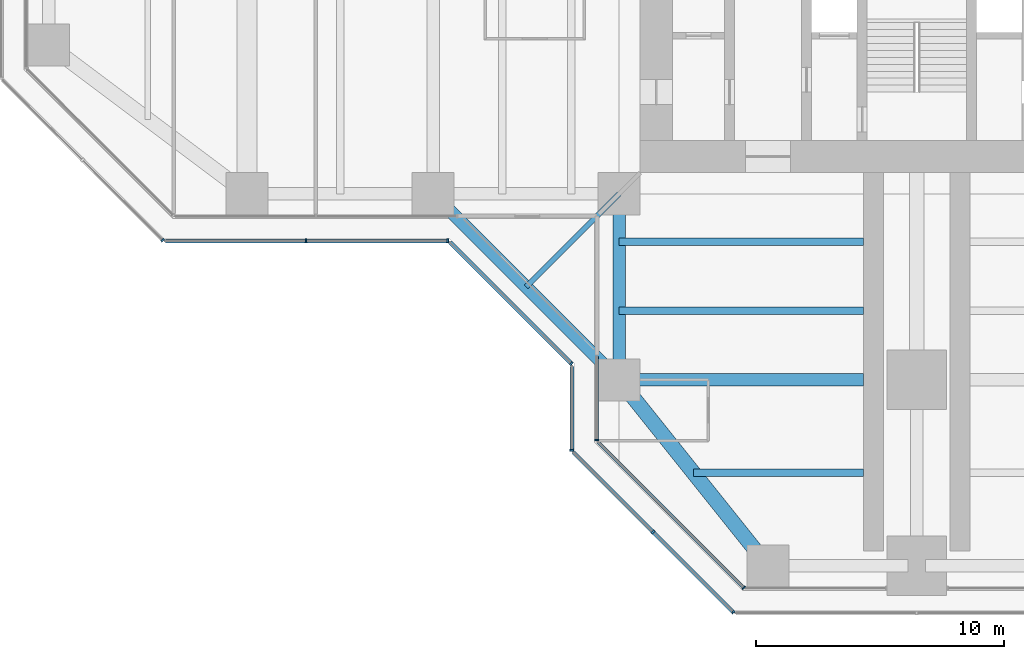
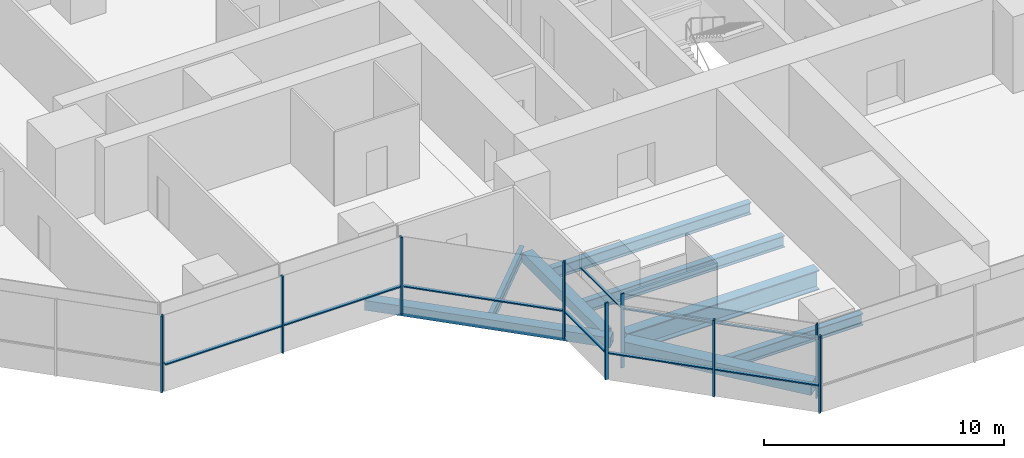
# One storey, part 2 of 20: 17 members, 8 beams, 7 elements without a shape of their own.
"""IFC4 building model written with IfcOpenShell, lengths in metres."""

from ifc_helpers import new_model, si_unit, direction, frame, origin, origin_2d, place, context, subcontext, project, spatial, rectangle, hollow_rectangle, i_section, extrude, material, material_profile, profile_set, type_object, element, aggregate, save


model = new_model("IFC4")

# Units and contexts
model_context = context("Model", 3, precision=1e-05, world=origin(), true_north=direction((0.0, 1.0)))
body_context = subcontext(model_context, "Body", "Model", "MODEL_VIEW")
ifc_project = project(units=[si_unit("LENGTHUNIT", "METRE"), si_unit("AREAUNIT", "SQUARE_METRE"), si_unit("VOLUMEUNIT", "CUBIC_METRE"), si_unit("PLANEANGLEUNIT", "RADIAN"), si_unit("MASSUNIT", "GRAM", prefix="KILO")], contexts=[model_context])

# Site, building, storey
site_placement = place(None, origin())
site = spatial("IfcSite", under=ifc_project, at=site_placement, CompositionType="ELEMENT")
building_placement = place(site_placement, origin())
building = spatial("IfcBuilding", under=site, at=building_placement, Name="Mizan Broadcast Tower", CompositionType="ELEMENT")
storey_placement = place(building_placement, frame((0.0, 0.0, 151.5)))
storey = spatial("IfcBuildingStorey", under=building, at=storey_placement, Name="L34", CompositionType="ELEMENT", Elevation=151.5)

# Beams
ifc_material_1 = material(Name="Steel S355", Category="steel")
ifc_material_profile_1 = material_profile(ifc_material_1, hollow_rectangle(XDim=0.5, YDim=0.5, WallThickness=0.030029296875, at=origin_2d()), Name="BOX 500x500x30")
ifc_profile_set_1 = profile_set([ifc_material_profile_1], Name="Steel S355")
beam_type_1 = type_object("IfcBeamType", Name="EDGE BEAM BOX 500x500x30", PredefinedType="SPANDREL", material=ifc_profile_set_1)
beam_1_placement = place(storey_placement, frame((-12.0, -12.449951171875, -0.3798828125), z_axis=(0.0, -1.0, 0.0), x_axis=(1.0, 0.0, 0.0)))
element("IfcBeam", 1, at=beam_1_placement, inside=storey, type_object=beam_type_1, Name="Edge beam BOX 500x500x30 L34 south arm", PredefinedType="SPANDREL", context=body_context, shape_type="SweptSolid", body=[
    extrude(hollow_rectangle(XDim=0.5, YDim=0.5, WallThickness=0.030029296875, at=origin_2d()), origin(), (0.0, 0.0, 1.0), 6.60009765625),
])
beam_2_placement = place(storey_placement, frame((-19.5, -12.0, -0.3798828125), z_axis=(0.707106781187, -0.707106781187, 0.0), x_axis=(0.707106781187, 0.707106781187, 0.0)))
element("IfcBeam", 2, at=beam_2_placement, inside=storey, type_object=beam_type_1, Name="Winter garden edge beam L34 W", PredefinedType="SPANDREL", context=body_context, shape_type="SweptSolid", body=[
    extrude(hollow_rectangle(XDim=0.5, YDim=0.5, WallThickness=0.030029296875, at=origin_2d()), origin(), (0.0, 0.0, 1.0), 10.606689453125),
])
ifc_material_2 = material(Name="Steel S355", Category="steel")
ifc_material_profile_2 = material_profile(ifc_material_2, hollow_rectangle(XDim=0.60009765625, YDim=0.60009765625, WallThickness=0.030029296875, at=origin_2d()), Name="BOX 600x600x30")
ifc_profile_set_2 = profile_set([ifc_material_profile_2], Name="Steel S355")
beam_type_2 = type_object("IfcBeamType", Name="EDGE BEAM BOX 600x600x30", PredefinedType="SPANDREL", material=ifc_profile_set_2)
beam_3_placement = place(storey_placement, frame((-11.639892578125, -19.949951171875, -0.429931640625), z_axis=(0.624673911726, -0.780885717636, 0.0), x_axis=(0.780885717636, 0.624673911726, 0.0)))
element("IfcBeam", 3, at=beam_3_placement, inside=storey, type_object=beam_type_2, Name="Edge beam BOX 600x600x30 L34 south arm", PredefinedType="SPANDREL", context=body_context, shape_type="SweptSolid", body=[
    extrude(hollow_rectangle(XDim=0.60009765625, YDim=0.60009765625, WallThickness=0.030029296875, at=origin_2d()), origin(), (0.0, 0.0, 1.0), 8.4521484375),
])
ifc_material_3 = material(Name="Steel S460", Category="steel")
ifc_material_profile_3 = material_profile(ifc_material_3, i_section(OverallWidth=0.5, OverallDepth=1.0, WebThickness=0.02490234375, FlangeThickness=0.050048828125, at=origin_2d()), Name="WPG 1000x500")
ifc_profile_set_3 = profile_set([ifc_material_profile_3], Name="Steel S460")
beam_type_3 = type_object("IfcBeamType", Name="GIRDER WPG 1000x500", PredefinedType="BEAM", material=ifc_profile_set_3)
beam_4_placement = place(storey_placement, frame((-11.408935546875, -19.5, -0.6298828125), z_axis=(1.0, 0.0, 0.0), x_axis=(0.0, 1.0, 0.0)))
element("IfcBeam", 4, at=beam_4_placement, inside=storey, type_object=beam_type_3, Name="Girder WPG 1000x500 L34 south arm", PredefinedType="BEAM", context=body_context, shape_type="SweptSolid", body=[
    extrude(i_section(OverallWidth=0.5, OverallDepth=1.0, WebThickness=0.02490234375, FlangeThickness=0.050048828125, at=origin_2d()), origin(), (0.0, 0.0, 1.0), 9.259033203125),
])

# Curtain wall, member
ifc_material_4 = material(Name="Aluminium framed glazing", Category="aluminium")
curtain_wall_type_1 = type_object("IfcCurtainWallType", Name="INNER SKIN MID ZONE", PredefinedType="USERDEFINED", material=ifc_material_4)
curtain_wall_1_placement = place(storey_placement, origin())
curtain_wall_1 = element("IfcCurtainWall", 5, at=curtain_wall_1_placement, inside=storey, type_object=curtain_wall_type_1, Name="Inner skin mid zone L34 S side", ObjectType="INNER SKIN MID ZONE", PredefinedType="USERDEFINED")
ifc_material_5 = material(Name="Aluminium, pale anodised", Category="aluminium")
ifc_material_profile_4 = material_profile(ifc_material_5, rectangle(XDim=0.159912109375, YDim=0.06005859375, at=origin_2d()), Name="MULLION 160x60")
ifc_profile_set_4 = profile_set([ifc_material_profile_4], Name="Aluminium, pale anodised")
member_type_1 = type_object("IfcMemberType", Name="INNER SKIN MULLION 60x160", PredefinedType="MULLION", material=ifc_profile_set_4)
member_1_placement = place(storey_placement, frame((-12.89990234375, -21.928466796875, 0.0), z_axis=(0.0, 0.0, 1.0), x_axis=(1.0, 0.0, 0.0)))
member_1 = element("IfcMember", 6, at=member_1_placement, type_object=member_type_1, Name="Inner skin mid zone L34 S side mullion 2", PredefinedType="MULLION", context=body_context, shape_type="SweptSolid", body=[
    extrude(rectangle(XDim=0.159912109375, YDim=0.06005859375, at=origin_2d()), origin(), (0.0, 0.0, 1.0), 3.77001953125),
])

curtain_wall_2_placement = place(storey_placement, origin())
curtain_wall_2 = element("IfcCurtainWall", 7, at=curtain_wall_2_placement, inside=storey, type_object=curtain_wall_type_1, Name="Inner skin mid zone L34 S chamfer", ObjectType="INNER SKIN MID ZONE", PredefinedType="USERDEFINED")
member_2_placement = place(storey_placement, frame((-6.979736328125, -27.87890625, 0.0), z_axis=(0.0, 0.0, 1.0), x_axis=(0.707106781187, 0.707106781187, 0.0)))
member_2 = element("IfcMember", 8, at=member_2_placement, type_object=member_type_1, Name="Inner skin mid zone L34 S chamfer mullion 2", PredefinedType="MULLION", context=body_context, shape_type="SweptSolid", body=[
    extrude(rectangle(XDim=0.159912109375, YDim=0.06005859375, at=origin_2d()), origin(), (0.0, 0.0, 1.0), 3.77001953125),
])

# Member
ifc_material_6 = material(Name="Aluminium, pale anodised", Category="aluminium")
ifc_material_profile_5 = material_profile(ifc_material_6, rectangle(XDim=0.1201171875, YDim=0.06005859375, at=origin_2d()), Name="TRANSOM 120x60")
ifc_profile_set_5 = profile_set([ifc_material_profile_5], Name="Aluminium, pale anodised")
member_type_2 = type_object("IfcMemberType", Name="INNER SKIN TRANSOM 60x120", PredefinedType="USERDEFINED", material=ifc_profile_set_5)
member_3_placement = place(storey_placement, frame((-12.89990234375, -18.56005859375, 3.030029296875), z_axis=(0.0, -1.0, 0.0), x_axis=(1.0, 0.0, 0.0)))
member_3 = element("IfcMember", 9, at=member_3_placement, type_object=member_type_2, Name="Inner skin mid zone L34 S side transom 1.1", ObjectType="TRANSOM", PredefinedType="USERDEFINED", context=body_context, shape_type="SweptSolid", body=[
    extrude(rectangle(XDim=0.1201171875, YDim=0.06005859375, at=origin_2d()), origin(), (0.0, 0.0, 1.0), 3.338623046875),
])

aggregate(curtain_wall_1, [member_1, member_3])

member_4_placement = place(storey_placement, frame((-12.857666015625, -22.0009765625, 3.030029296875), z_axis=(0.707106781187, -0.707106781187, 0.0), x_axis=(0.707106781187, 0.707106781187, 0.0)))
member_4 = element("IfcMember", 10, at=member_4_placement, type_object=member_type_2, Name="Inner skin mid zone L34 S chamfer transom 1.1", ObjectType="TRANSOM", PredefinedType="USERDEFINED", context=body_context, shape_type="SweptSolid", body=[
    extrude(rectangle(XDim=0.1201171875, YDim=0.06005859375, at=origin_2d()), origin(), (0.0, 0.0, 1.0), 8.28271484375),
])

aggregate(curtain_wall_2, [member_2, member_4])

# Curtain wall, member
ifc_material_7 = material(Name="Aluminium framed glazing", Category="aluminium")
curtain_wall_type_2 = type_object("IfcCurtainWallType", Name="OUTER SKIN", PredefinedType="USERDEFINED", material=ifc_material_7)
curtain_wall_3_placement = place(storey_placement, origin())
curtain_wall_3 = element("IfcCurtainWall", 11, at=curtain_wall_3_placement, inside=storey, type_object=curtain_wall_type_2, Name="Outer skin L34 W chamfer", ObjectType="OUTER SKIN", PredefinedType="USERDEFINED")
ifc_material_8 = material(Name="Aluminium, pale anodised", Category="aluminium")
ifc_material_profile_6 = material_profile(ifc_material_8, rectangle(XDim=0.159912109375, YDim=0.080078125, at=origin_2d()), Name="MULLION 160x80")
ifc_profile_set_6 = profile_set([ifc_material_profile_6], Name="Aluminium, pale anodised")
member_type_3 = type_object("IfcMemberType", Name="OUTER SKIN MULLION 80x160", PredefinedType="MULLION", material=ifc_profile_set_6)
member_5_placement = place(storey_placement, frame((-30.401123046875, -13.871826171875, 0.0), z_axis=(0.0, 0.0, 1.0), x_axis=(0.707106781187, 0.707106781187, 0.0)))
member_5 = element("IfcMember", 12, at=member_5_placement, type_object=member_type_3, Name="Outer skin L34 W chamfer mullion 3", PredefinedType="MULLION", context=body_context, shape_type="SweptSolid", body=[
    extrude(rectangle(XDim=0.159912109375, YDim=0.080078125, at=origin_2d()), origin(), (0.0, 0.0, 1.0), 3.89990234375),
])
aggregate(curtain_wall_3, [member_5])

# Curtain wall, members
curtain_wall_4_placement = place(storey_placement, origin())
curtain_wall_4 = element("IfcCurtainWall", 13, at=curtain_wall_4_placement, inside=storey, type_object=curtain_wall_type_2, Name="Outer skin L34 W side", ObjectType="OUTER SKIN", PredefinedType="USERDEFINED")
member_6_placement = place(storey_placement, frame((-24.622802734375, -13.89990234375, 0.0), z_axis=(0.0, 0.0, 1.0), x_axis=(0.0, 1.0, 0.0)))
member_6 = element("IfcMember", 14, at=member_6_placement, type_object=member_type_3, Name="Outer skin L34 W side mullion 2", PredefinedType="MULLION", context=body_context, shape_type="SweptSolid", body=[
    extrude(rectangle(XDim=0.159912109375, YDim=0.080078125, at=origin_2d()), origin(), (0.0, 0.0, 1.0), 3.89990234375),
])
member_7_placement = place(storey_placement, frame((-18.912841796875, -13.89990234375, 0.0), z_axis=(0.0, 0.0, 1.0), x_axis=(0.0, 1.0, 0.0)))
member_7 = element("IfcMember", 15, at=member_7_placement, type_object=member_type_3, Name="Outer skin L34 W side mullion 3", PredefinedType="MULLION", context=body_context, shape_type="SweptSolid", body=[
    extrude(rectangle(XDim=0.159912109375, YDim=0.080078125, at=origin_2d()), origin(), (0.0, 0.0, 1.0), 3.89990234375),
])

# Curtain wall, member
curtain_wall_5_placement = place(storey_placement, origin())
curtain_wall_5 = element("IfcCurtainWall", 16, at=curtain_wall_5_placement, inside=storey, type_object=curtain_wall_type_2, Name="Outer skin L34 W chamfer", ObjectType="OUTER SKIN", PredefinedType="USERDEFINED")
member_8_placement = place(storey_placement, frame((-13.92822265625, -18.844482421875, 0.0), z_axis=(0.0, 0.0, 1.0), x_axis=(0.707106781187, 0.707106781187, 0.0)))
member_8 = element("IfcMember", 17, at=member_8_placement, type_object=member_type_3, Name="Outer skin L34 W chamfer mullion 2", PredefinedType="MULLION", context=body_context, shape_type="SweptSolid", body=[
    extrude(rectangle(XDim=0.159912109375, YDim=0.080078125, at=origin_2d()), origin(), (0.0, 0.0, 1.0), 3.89990234375),
])

curtain_wall_6_placement = place(storey_placement, origin())
curtain_wall_6 = element("IfcCurtainWall", 18, at=curtain_wall_6_placement, inside=storey, type_object=curtain_wall_type_2, Name="Outer skin L34 S side", ObjectType="OUTER SKIN", PredefinedType="USERDEFINED")
member_9_placement = place(storey_placement, frame((-13.89990234375, -22.332763671875, 0.0), z_axis=(0.0, 0.0, 1.0), x_axis=(1.0, 0.0, 0.0)))
member_9 = element("IfcMember", 19, at=member_9_placement, type_object=member_type_3, Name="Outer skin L34 S side mullion 2", PredefinedType="MULLION", context=body_context, shape_type="SweptSolid", body=[
    extrude(rectangle(XDim=0.159912109375, YDim=0.080078125, at=origin_2d()), origin(), (0.0, 0.0, 1.0), 3.89990234375),
])

# Curtain wall, members
curtain_wall_7_placement = place(storey_placement, origin())
curtain_wall_7 = element("IfcCurtainWall", 20, at=curtain_wall_7_placement, inside=storey, type_object=curtain_wall_type_2, Name="Outer skin L34 S chamfer", ObjectType="OUTER SKIN", PredefinedType="USERDEFINED")
member_10_placement = place(storey_placement, frame((-10.636474609375, -25.636474609375, 0.0), z_axis=(0.0, 0.0, 1.0), x_axis=(0.707106781187, 0.707106781187, 0.0)))
member_10 = element("IfcMember", 21, at=member_10_placement, type_object=member_type_3, Name="Outer skin L34 S chamfer mullion 2", PredefinedType="MULLION", context=body_context, shape_type="SweptSolid", body=[
    extrude(rectangle(XDim=0.159912109375, YDim=0.080078125, at=origin_2d()), origin(), (0.0, 0.0, 1.0), 3.89990234375),
])
member_11_placement = place(storey_placement, frame((-7.401123046875, -28.871826171875, 0.0), z_axis=(0.0, 0.0, 1.0), x_axis=(0.707106781187, 0.707106781187, 0.0)))
member_11 = element("IfcMember", 22, at=member_11_placement, type_object=member_type_3, Name="Outer skin L34 S chamfer mullion 3", PredefinedType="MULLION", context=body_context, shape_type="SweptSolid", body=[
    extrude(rectangle(XDim=0.159912109375, YDim=0.080078125, at=origin_2d()), origin(), (0.0, 0.0, 1.0), 3.89990234375),
])

# Member
ifc_material_9 = material(Name="Aluminium, pale anodised", Category="aluminium")
ifc_material_profile_7 = material_profile(ifc_material_9, rectangle(XDim=0.159912109375, YDim=0.06005859375, at=origin_2d()), Name="TRANSOM 160x60")
ifc_profile_set_7 = profile_set([ifc_material_profile_7], Name="Aluminium, pale anodised")
member_type_4 = type_object("IfcMemberType", Name="OUTER SKIN TRANSOM 60x160", PredefinedType="USERDEFINED", material=ifc_profile_set_7)
member_12_placement = place(storey_placement, frame((-30.292724609375, -13.89990234375, 1.39990234375), z_axis=(1.0, 0.0, 0.0), x_axis=(0.0, 1.0, 0.0)))
member_12 = element("IfcMember", 23, at=member_12_placement, type_object=member_type_4, Name="Outer skin L34 W side transom 1.1", ObjectType="TRANSOM", PredefinedType="USERDEFINED", context=body_context, shape_type="SweptSolid", body=[
    extrude(rectangle(XDim=0.159912109375, YDim=0.06005859375, at=origin_2d()), origin(), (0.0, 0.0, 1.0), 5.6298828125),
])

member_13_placement = place(storey_placement, frame((-24.582763671875, -13.89990234375, 1.39990234375), z_axis=(1.0, 0.0, 0.0), x_axis=(0.0, 1.0, 0.0)))
member_13 = element("IfcMember", 24, at=member_13_placement, type_object=member_type_4, Name="Outer skin L34 W side transom 2.1", ObjectType="TRANSOM", PredefinedType="USERDEFINED", context=body_context, shape_type="SweptSolid", body=[
    extrude(rectangle(XDim=0.159912109375, YDim=0.06005859375, at=origin_2d()), origin(), (0.0, 0.0, 1.0), 5.6298828125),
])

aggregate(curtain_wall_4, [member_6, member_7, member_12, member_13])

member_14_placement = place(storey_placement, frame((-18.816162109375, -13.95654296875, 1.39990234375), z_axis=(0.707106781187, -0.707106781187, 0.0), x_axis=(0.707106781187, 0.707106781187, 0.0)))
member_14 = element("IfcMember", 25, at=member_14_placement, type_object=member_type_4, Name="Outer skin L34 W chamfer transom 1.1", ObjectType="TRANSOM", PredefinedType="USERDEFINED", context=body_context, shape_type="SweptSolid", body=[
    extrude(rectangle(XDim=0.159912109375, YDim=0.06005859375, at=origin_2d()), origin(), (0.0, 0.0, 1.0), 6.87255859375),
])

aggregate(curtain_wall_5, [member_8, member_14])

member_15_placement = place(storey_placement, frame((-13.89990234375, -18.952880859375, 1.39990234375), z_axis=(0.0, -1.0, 0.0), x_axis=(1.0, 0.0, 0.0)))
member_15 = element("IfcMember", 26, at=member_15_placement, type_object=member_type_4, Name="Outer skin L34 S side transom 1.1", ObjectType="TRANSOM", PredefinedType="USERDEFINED", context=body_context, shape_type="SweptSolid", body=[
    extrude(rectangle(XDim=0.159912109375, YDim=0.06005859375, at=origin_2d()), origin(), (0.0, 0.0, 1.0), 3.33984375),
])

aggregate(curtain_wall_6, [member_9, member_15])

member_16_placement = place(storey_placement, frame((-13.843505859375, -22.429443359375, 1.39990234375), z_axis=(0.707106781187, -0.707106781187, 0.0), x_axis=(0.707106781187, 0.707106781187, 0.0)))
member_16 = element("IfcMember", 27, at=member_16_placement, type_object=member_type_4, Name="Outer skin L34 S chamfer transom 1.1", ObjectType="TRANSOM", PredefinedType="USERDEFINED", context=body_context, shape_type="SweptSolid", body=[
    extrude(rectangle(XDim=0.159912109375, YDim=0.06005859375, at=origin_2d()), origin(), (0.0, 0.0, 1.0), 4.495361328125),
])

member_17_placement = place(storey_placement, frame((-10.608154296875, -25.664794921875, 1.39990234375), z_axis=(0.707106781187, -0.707106781187, 0.0), x_axis=(0.707106781187, 0.707106781187, 0.0)))
member_17 = element("IfcMember", 28, at=member_17_placement, type_object=member_type_4, Name="Outer skin L34 S chamfer transom 2.1", ObjectType="TRANSOM", PredefinedType="USERDEFINED", context=body_context, shape_type="SweptSolid", body=[
    extrude(rectangle(XDim=0.159912109375, YDim=0.06005859375, at=origin_2d()), origin(), (0.0, 0.0, 1.0), 4.495361328125),
])

aggregate(curtain_wall_7, [member_10, member_11, member_16, member_17])

# Beams
ifc_material_10 = material(Name="Steel S355", Category="steel")
ifc_material_profile_8 = material_profile(ifc_material_10, i_section(OverallWidth=0.300048828125, OverallDepth=0.590087890625, WebThickness=0.012939453125, FlangeThickness=0.02490234375, FilletRadius=0.027099609375, at=origin_2d()), Name="HEA 600")
ifc_profile_set_8 = profile_set([ifc_material_profile_8], Name="Steel S355")
beam_type_4 = type_object("IfcBeamType", Name="SECONDARY BEAM HEA 600", PredefinedType="JOIST", material=ifc_profile_set_8)
for number, where, z_axis, x_axis, name in (
    (29, (-12.0, -13.933349609375, -0.425048828125), (1.0, 0.0, 0.0), (0.0, 1.0, 0.0), "Secondary beam HEA 600 L34 south arm"),
    (30, (-12.0, -16.716552734375, -0.425048828125), (1.0, 0.0, 0.0), (0.0, 1.0, 0.0), "Secondary beam HEA 600 L34 south arm"),
):
    element("IfcBeam", number, at=place(storey_placement, frame(where, z_axis=z_axis, x_axis=x_axis)), inside=storey, type_object=beam_type_4, Name=name, PredefinedType="JOIST", context=body_context, shape_type="SweptSolid", body=[
        extrude(i_section(OverallWidth=0.300048828125, OverallDepth=0.590087890625, WebThickness=0.012939453125, FlangeThickness=0.02490234375, FilletRadius=0.027099609375, at=origin_2d()), origin(), (0.0, 0.0, 1.0), 9.85009765625),
    ])
beam_5_placement = place(storey_placement, frame((-9.0, -23.25, -0.425048828125), z_axis=(1.0, 0.0, 0.0), x_axis=(0.0, 1.0, 0.0)))
element("IfcBeam", 31, at=beam_5_placement, inside=storey, type_object=beam_type_4, Name="Secondary beam HEA 600 L34 south arm", PredefinedType="JOIST", context=body_context, shape_type="SweptSolid", body=[
    extrude(i_section(OverallWidth=0.300048828125, OverallDepth=0.590087890625, WebThickness=0.012939453125, FlangeThickness=0.02490234375, FilletRadius=0.027099609375, at=origin_2d()), origin(), (0.0, 0.0, 1.0), 6.85009765625),
])
ifc_material_11 = material(Name="Steel S355", Category="steel")
ifc_material_profile_9 = material_profile(ifc_material_11, i_section(OverallWidth=0.2099609375, OverallDepth=0.550048828125, WebThickness=0.010986328125, FlangeThickness=0.01708984375, FilletRadius=0.02392578125, at=origin_2d()), Name="IPE 550")
ifc_profile_set_9 = profile_set([ifc_material_profile_9], Name="Steel S355")
beam_type_5 = type_object("IfcBeamType", Name="SECONDARY BEAM IPE 550", PredefinedType="JOIST", material=ifc_profile_set_9)
beam_6_placement = place(storey_placement, frame((-12.0, -12.0, -0.405029296875), z_axis=(-0.707106781187, -0.707106781187, 0.0), x_axis=(0.707106781187, -0.707106781187, 0.0)))
element("IfcBeam", 32, at=beam_6_placement, inside=storey, type_object=beam_type_5, Name="Winter garden beam L34 W", PredefinedType="JOIST", context=body_context, shape_type="SweptSolid", body=[
    extrude(i_section(OverallWidth=0.2099609375, OverallDepth=0.550048828125, WebThickness=0.010986328125, FlangeThickness=0.01708984375, FilletRadius=0.02392578125, at=origin_2d()), origin(), (0.0, 0.0, 1.0), 5.30322265625),
])

save(model, "model.ifc")
